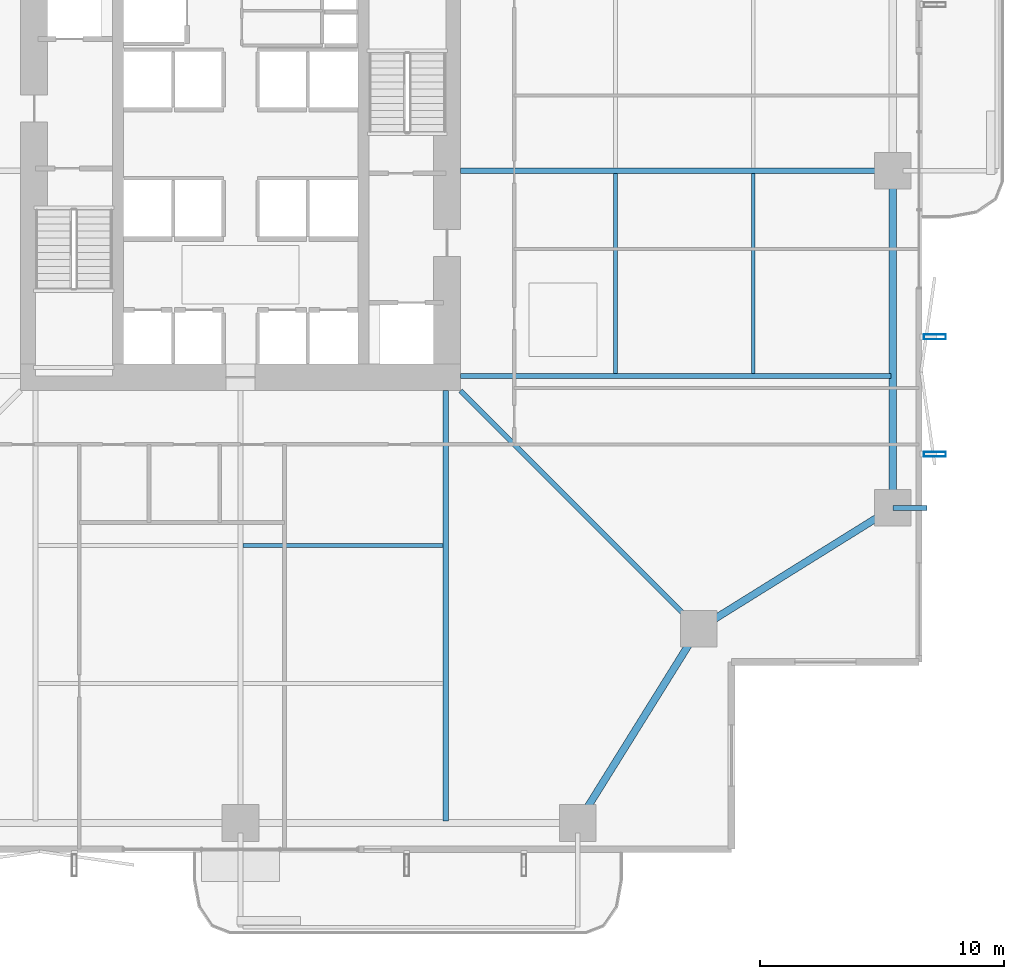
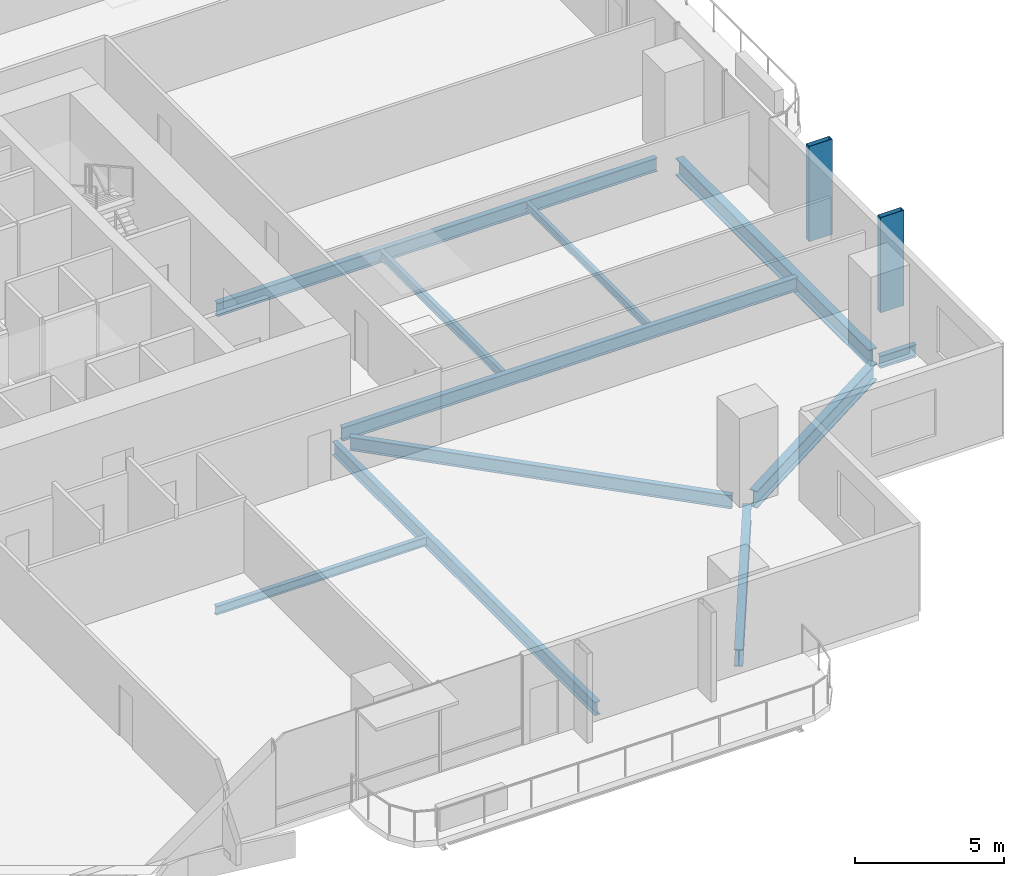
# One storey, part 7 of 24: 11 beams, 2 members.
"""IFC4 building model written with IfcOpenShell, lengths in metres."""

from ifc_helpers import new_model, si_unit, direction, frame, origin, origin_2d, place, context, subcontext, project, spatial, hollow_rectangle, i_section, extrude, material, material_profile, profile_set, type_object, element, save


model = new_model("IFC4")

# Units and contexts
model_context = context("Model", 3, precision=1e-05, world=origin(), true_north=direction((0.0, 1.0)))
body_context = subcontext(model_context, "Body", "Model", "MODEL_VIEW")
ifc_project = project(units=[si_unit("LENGTHUNIT", "METRE"), si_unit("AREAUNIT", "SQUARE_METRE"), si_unit("VOLUMEUNIT", "CUBIC_METRE"), si_unit("PLANEANGLEUNIT", "RADIAN"), si_unit("MASSUNIT", "GRAM", prefix="KILO")], contexts=[model_context])

# Site, building, storey
site_placement = place(None, origin())
site = spatial("IfcSite", under=ifc_project, at=site_placement, CompositionType="ELEMENT")
building_placement = place(site_placement, origin())
building = spatial("IfcBuilding", under=site, at=building_placement, Name="Belovzor Exchange Tower", CompositionType="ELEMENT")
storey_placement = place(building_placement, frame((0.0, 0.0, 92.39990234375)))
storey = spatial("IfcBuildingStorey", under=building, at=storey_placement, Name="L22", CompositionType="ELEMENT", Elevation=92.39990234375)

# Beams
ifc_material_1 = material(Name="Steel S355", Category="steel")
ifc_material_profile_1 = material_profile(ifc_material_1, i_section(OverallWidth=0.199951171875, OverallDepth=0.5, WebThickness=0.01025390625, FlangeThickness=0.01611328125, at=origin_2d()))
ifc_profile_set_1 = profile_set([ifc_material_profile_1], Name="Steel S355")
beam_type_1 = type_object("IfcBeamType", Name="Planted Balcony Cantilever Beam IPE 500", PredefinedType="BEAM", material=ifc_profile_set_1)
beam_1_placement = place(storey_placement, frame((55.5, 15.0, -0.5), z_axis=(1.0, 0.0, 0.0), x_axis=(0.0, 1.0, 0.0)))
element("IfcBeam", 1, at=beam_1_placement, inside=storey, type_object=beam_type_1, Name="BC-500 Planted Balcony Cantilever Beam IPE 500", PredefinedType="BEAM", context=body_context, shape_type="SweptSolid", body=[
    extrude(i_section(OverallWidth=0.199951171875, OverallDepth=0.5, WebThickness=0.01025390625, FlangeThickness=0.01611328125, at=origin_2d()), origin(), (0.0, 0.0, 1.0), 1.39990234375),
])
ifc_material_2 = material(Name="Steel S355", Category="steel")
ifc_material_profile_2 = material_profile(ifc_material_2, i_section(OverallWidth=0.169921875, OverallDepth=0.360107421875, WebThickness=0.008056640625, FlangeThickness=0.0126953125, at=origin_2d()))
ifc_profile_set_2 = profile_set([ifc_material_profile_2], Name="Steel S355")
beam_type_2 = type_object("IfcBeamType", Name="Secondary Infill Floor Joist IPE 360", PredefinedType="BEAM", material=ifc_profile_set_2)
beam_2_placement = place(storey_placement, frame((28.905029296875, 13.455078125, -0.429931640625), z_axis=(1.0, 0.0, 0.0), x_axis=(0.0, 1.0, 0.0)))
element("IfcBeam", 2, at=beam_2_placement, inside=storey, type_object=beam_type_2, Name="FJ-360 Secondary Infill Floor Joist IPE 360", PredefinedType="BEAM", context=body_context, shape_type="SweptSolid", body=[
    extrude(i_section(OverallWidth=0.169921875, OverallDepth=0.360107421875, WebThickness=0.008056640625, FlangeThickness=0.0126953125, at=origin_2d()), origin(), (0.0, 0.0, 1.0), 8.18994140625),
])
beam_3_placement = place(storey_placement, frame((44.14501953125, 20.5048828125, -0.429931640625), z_axis=(0.0, 1.0, 0.0), x_axis=(-1.0, 0.0, 0.0)))
element("IfcBeam", 3, at=beam_3_placement, inside=storey, type_object=beam_type_2, Name="FJ-360 Secondary Infill Floor Joist IPE 360", PredefinedType="BEAM", context=body_context, shape_type="SweptSolid", body=[
    extrude(i_section(OverallWidth=0.169921875, OverallDepth=0.360107421875, WebThickness=0.008056640625, FlangeThickness=0.0126953125, at=origin_2d()), origin(), (0.0, 0.0, 1.0), 8.190185546875),
])
ifc_material_3 = material(Name="Steel S355", Category="steel")
ifc_material_profile_3 = material_profile(ifc_material_3, i_section(OverallWidth=0.14990234375, OverallDepth=0.300048828125, WebThickness=0.007080078125, FlangeThickness=0.0107421875, at=origin_2d()))
ifc_profile_set_3 = profile_set([ifc_material_profile_3], Name="Steel S355")
beam_type_3 = type_object("IfcBeamType", Name="Secondary Trim Floor Joist IPE 300", PredefinedType="BEAM", material=ifc_profile_set_3)
beam_4_placement = place(storey_placement, frame((49.784912109375, 20.5048828125, -0.39990234375), z_axis=(0.0, 1.0, 0.0), x_axis=(-1.0, 0.0, 0.0)))
element("IfcBeam", 4, at=beam_4_placement, inside=storey, type_object=beam_type_3, Name="FJ-300 Secondary Trim Floor Joist IPE 300", PredefinedType="BEAM", context=body_context, shape_type="SweptSolid", body=[
    extrude(i_section(OverallWidth=0.14990234375, OverallDepth=0.300048828125, WebThickness=0.007080078125, FlangeThickness=0.0107421875, at=origin_2d()), origin(), (0.0, 0.0, 1.0), 8.190185546875),
])

# Members
ifc_material_4 = material(Name="Extruded Architectural Terracotta on Steel S355 Carrier", Category="masonry")
ifc_material_profile_4 = material_profile(ifc_material_4, hollow_rectangle(XDim=0.199951171875, YDim=0.89990234375, WallThickness=0.011962890625, at=origin_2d()))
ifc_profile_set_4 = profile_set([ifc_material_profile_4], Name="Extruded Architectural Terracotta on Steel S355 Carrier")
member_type = type_object("IfcMemberType", Name="Sweeping Terracotta Baguette Fin Assembly 1250", PredefinedType="USERDEFINED", material=ifc_profile_set_4)
for number, where, z_axis, x_axis, name in (
    (5, (57.22509765625, 17.199951171875, -0.25), (0.0, 0.0, 1.0), (0.0, 1.0, 0.0), "FIN-TC125 Terracotta Facade Fin L22 E1"),
    (6, (57.22509765625, 22.0, -0.25), (0.0, 0.0, 1.0), (0.0, 1.0, 0.0), "FIN-TC125 Terracotta Facade Fin L22 E2"),
):
    element("IfcMember", number, at=place(storey_placement, frame(where, z_axis=z_axis, x_axis=x_axis)), inside=storey, type_object=member_type, Name=name, ObjectType="FIN", PredefinedType="USERDEFINED", context=body_context, shape_type="SweptSolid", body=[
        extrude(hollow_rectangle(XDim=0.199951171875, YDim=0.89990234375, WallThickness=0.011962890625, at=origin_2d()), origin(), (0.0, 0.0, 1.0), 3.900146484375),
    ])

# Beams
ifc_material_5 = material(Name="Steel S355", Category="steel")
ifc_material_profile_5 = material_profile(ifc_material_5, i_section(OverallWidth=0.300048828125, OverallDepth=0.699951171875, WebThickness=0.01708984375, FlangeThickness=0.031982421875, at=origin_2d()))
ifc_profile_set_5 = profile_set([ifc_material_profile_5], Name="Steel S355")
beam_type_4 = type_object("IfcBeamType", Name="Zone 1 Primary Perimeter Girder HEB 700", PredefinedType="BEAM", material=ifc_profile_set_5)
for number, where, z_axis, x_axis, name in (
    (7, (42.818115234375, 2.449951171875, -0.599853515625), (0.528538629686, 0.848909251292, 0.0), (-0.848909251292, 0.528538629686, 0.0), "FG-Z1 Zone 1 Primary Perimeter Girder HEB 700"),
    (8, (47.89990234375, 10.26806640625, -0.599853515625), (0.848909251292, 0.528538629686, 0.0), (-0.528538629686, 0.848909251292, 0.0), "FG-Z1 Zone 1 Primary Perimeter Girder HEB 700"),
):
    element("IfcBeam", number, at=place(storey_placement, frame(where, z_axis=z_axis, x_axis=x_axis)), inside=storey, type_object=beam_type_4, Name=name, PredefinedType="BEAM", context=body_context, shape_type="SweptSolid", body=[
        extrude(i_section(OverallWidth=0.300048828125, OverallDepth=0.699951171875, WebThickness=0.01708984375, FlangeThickness=0.031982421875, at=origin_2d()), origin(), (0.0, 0.0, 1.0), 8.540283203125),
    ])
beam_5_placement = place(storey_placement, frame((55.5, 15.412109375, -0.599853515625), z_axis=(0.0, 1.0, 0.0), x_axis=(-1.0, 0.0, 0.0)))
element("IfcBeam", 9, at=beam_5_placement, inside=storey, type_object=beam_type_4, Name="FG-Z1 Zone 1 Primary Perimeter Girder HEB 700", PredefinedType="BEAM", context=body_context, shape_type="SweptSolid", body=[
    extrude(i_section(OverallWidth=0.300048828125, OverallDepth=0.699951171875, WebThickness=0.01708984375, FlangeThickness=0.031982421875, at=origin_2d()), origin(), (0.0, 0.0, 1.0), 12.974853515625),
])
ifc_material_6 = material(Name="Steel S355", Category="steel")
ifc_material_profile_6 = material_profile(ifc_material_6, i_section(OverallWidth=0.2099609375, OverallDepth=0.550048828125, WebThickness=0.010986328125, FlangeThickness=0.01708984375, at=origin_2d()))
ifc_profile_set_6 = profile_set([ifc_material_profile_6], Name="Steel S355")
beam_type_5 = type_object("IfcBeamType", Name="Zone 1 Radial Composite Floor Beam IPE 550", PredefinedType="BEAM", material=ifc_profile_set_6)
for number, where, z_axis, x_axis, name in (
    (10, (37.199951171875, 19.800048828125, -0.52490234375), (0.0, -1.0, 0.0), (1.0, 0.0, 0.0), "FB-550 Zone 1 Radial Composite Floor Beam IPE 550"),
    (11, (37.800048828125, 20.39990234375, -0.52490234375), (1.0, 0.0, 0.0), (0.0, 1.0, 0.0), "FB-550 Zone 1 Radial Composite Floor Beam IPE 550"),
):
    element("IfcBeam", number, at=place(storey_placement, frame(where, z_axis=z_axis, x_axis=x_axis)), inside=storey, type_object=beam_type_5, Name=name, PredefinedType="BEAM", context=body_context, shape_type="SweptSolid", body=[
        extrude(i_section(OverallWidth=0.2099609375, OverallDepth=0.550048828125, WebThickness=0.010986328125, FlangeThickness=0.01708984375, at=origin_2d()), origin(), (0.0, 0.0, 1.0), 17.625),
    ])
beam_6_placement = place(storey_placement, frame((37.800048828125, 28.800048828125, -0.52490234375), z_axis=(1.0, 0.0, 0.0), x_axis=(0.0, 1.0, 0.0)))
element("IfcBeam", 12, at=beam_6_placement, inside=storey, type_object=beam_type_5, Name="FB-550 Zone 1 Radial Composite Floor Beam IPE 550", PredefinedType="BEAM", context=body_context, shape_type="SweptSolid", body=[
    extrude(i_section(OverallWidth=0.2099609375, OverallDepth=0.550048828125, WebThickness=0.010986328125, FlangeThickness=0.01708984375, at=origin_2d()), origin(), (0.0, 0.0, 1.0), 17.0400390625),
])
beam_7_placement = place(storey_placement, frame((37.800048828125, 19.800048828125, -0.52490234375), z_axis=(0.707106781187, -0.707106781187, 0.0), x_axis=(0.707106781187, 0.707106781187, 0.0)))
element("IfcBeam", 13, at=beam_7_placement, inside=storey, type_object=beam_type_5, Name="FB-550 Zone 1 Radial Composite Floor Beam IPE 550", PredefinedType="BEAM", context=body_context, shape_type="SweptSolid", body=[
    extrude(i_section(OverallWidth=0.2099609375, OverallDepth=0.550048828125, WebThickness=0.010986328125, FlangeThickness=0.01708984375, at=origin_2d()), origin(), (0.0, 0.0, 1.0), 13.25830078125),
])

save(model, "model.ifc")
